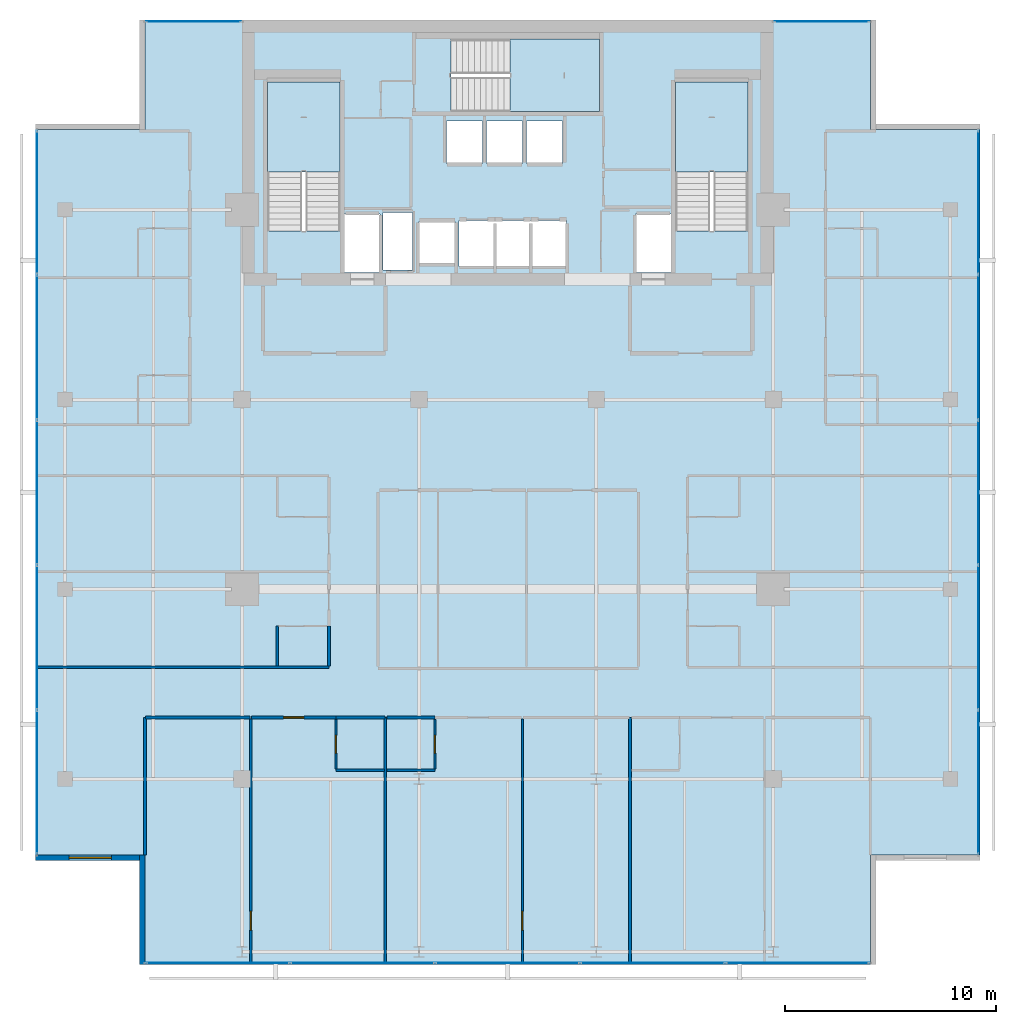
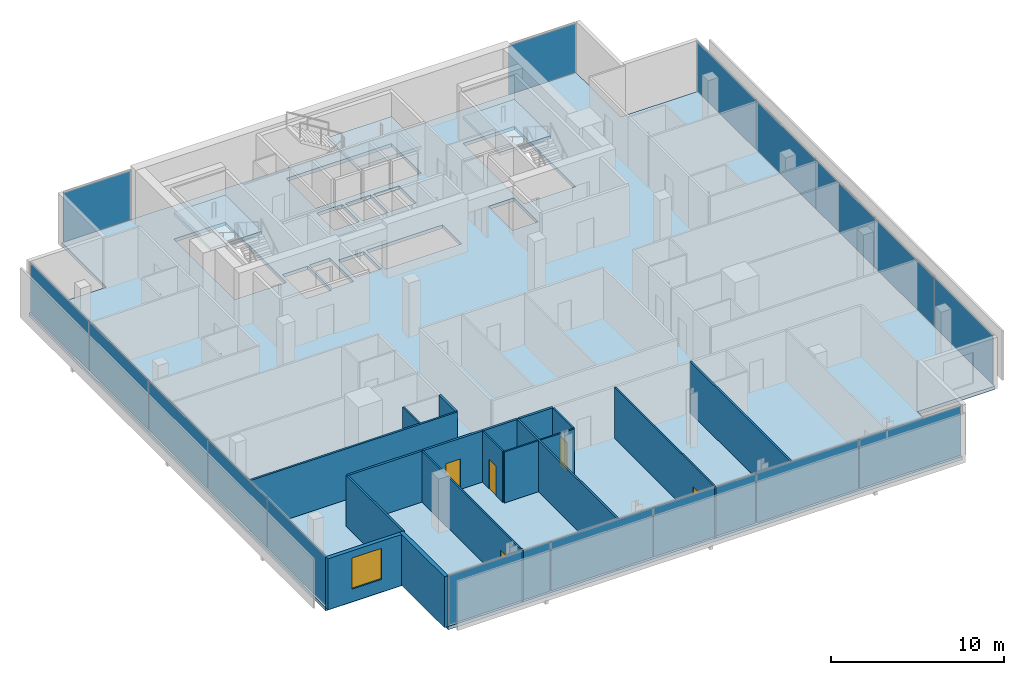
# One storey, part 19 of 25: 18 walls, 17 plates, 5 doors, 4 slabs, 1 window, 6 openings, 8 elements without a shape of their own.
"""IFC4 building model written with IfcOpenShell, lengths in metres."""

from ifc_helpers import new_model, si_unit, direction, frame, frame_2d, origin, origin_2d, place, context, subcontext, project, spatial, polyline, rectangle, outline, extrude, material, layer, layer_set, type_object, element, fill, aggregate, save


model = new_model("IFC4")

# Units and contexts
model_context = context("Model", 3, precision=1e-05, world=origin(), true_north=direction((0.0, 1.0)))
body_context = subcontext(model_context, "Body", "Model", "MODEL_VIEW")
ifc_project = project(units=[si_unit("LENGTHUNIT", "METRE"), si_unit("AREAUNIT", "SQUARE_METRE"), si_unit("VOLUMEUNIT", "CUBIC_METRE"), si_unit("PLANEANGLEUNIT", "RADIAN"), si_unit("MASSUNIT", "GRAM", prefix="KILO")], contexts=[model_context])

# Site, building, storey
site_placement = place(None, origin())
site = spatial("IfcSite", under=ifc_project, at=site_placement, CompositionType="ELEMENT")
building_placement = place(site_placement, origin())
building = spatial("IfcBuilding", under=site, at=building_placement, Name="Maruvema Waterfront Hotel and Observation Tower", CompositionType="ELEMENT")
storey_placement = place(building_placement, frame((0.0, 0.0, 297.14990234375)))
storey = spatial("IfcBuildingStorey", under=building, at=storey_placement, Name="L73", CompositionType="ELEMENT", Elevation=297.14990234375)

# Slab
ifc_material_1 = material(Name="Concrete C50/60", Category="concrete")
ifc_layer_1 = layer(ifc_material_1, 0.239990234375, Name="Reinforced Concrete Floor Slab 240 mm")
ifc_layer_set_1 = layer_set([ifc_layer_1], Name="Concrete C50/60")
slab_type_1 = type_object("IfcSlabType", Name="Reinforced Concrete Floor Slab 240 mm", PredefinedType="FLOOR", material=ifc_layer_set_1)
slab_1_placement = place(storey_placement, frame((0.0, 0.0, -0.239990234375)))
element("IfcSlab", 1, at=slab_1_placement, inside=storey, type_object=slab_type_1, Name="L73 Structural Floor Slab", PredefinedType="FLOOR", context=body_context, shape_type="SweptSolid", body=[
    extrude(outline(polyline([(20.60009765625, 9.199951171875), (55.0, 9.199951171875), (55.0, 14.39990234375), (60.199951171875, 14.39990234375), (60.199951171875, 48.800048828125), (55.0, 48.800048828125), (55.0, 54.0), (20.60009765625, 54.0), (20.60009765625, 48.800048828125), (15.39990234375, 48.800048828125), (15.39990234375, 14.39990234375), (20.60009765625, 14.39990234375), (20.60009765625, 9.199951171875)]), holes=[polyline([(26.39990234375, 44.00048828125), (26.39990234375, 51.050048828125), (29.85009765625, 51.050048828125), (29.85009765625, 44.00048828125), (26.39990234375, 44.00048828125)]), polyline([(30.050048828125, 44.800048828125), (31.75, 44.800048828125), (31.75, 42.02001953125), (30.050048828125, 42.02001953125), (30.050048828125, 44.800048828125)]), polyline([(31.8798828125, 42.139892578125), (31.8798828125, 44.860107421875), (33.280029296875, 44.860107421875), (33.280029296875, 42.139892578125), (31.8798828125, 42.139892578125)]), polyline([(33.60009765625, 44.449951171875), (35.300048828125, 44.449951171875), (35.300048828125, 42.449951171875), (33.60009765625, 42.449951171875), (33.60009765625, 44.449951171875)]), polyline([(34.89990234375, 49.199951171875), (36.60009765625, 49.199951171875), (36.60009765625, 47.199951171875), (34.89990234375, 47.199951171875), (34.89990234375, 49.199951171875)]), polyline([(36.800048828125, 47.199951171875), (36.800048828125, 49.199951171875), (38.5, 49.199951171875), (38.5, 47.199951171875), (36.800048828125, 47.199951171875)]), polyline([(35.5, 42.300048828125), (35.5, 44.5), (40.60009765625, 44.5), (40.60009765625, 42.300048828125), (35.5, 42.300048828125)]), polyline([(35.1005859375, 53.10009765625), (42.14990234375, 53.10009765625), (42.14990234375, 49.64990234375), (35.1005859375, 49.64990234375), (35.1005859375, 53.10009765625)]), polyline([(38.699951171875, 49.199951171875), (40.39990234375, 49.199951171875), (40.39990234375, 47.199951171875), (38.699951171875, 47.199951171875), (38.699951171875, 49.199951171875)]), polyline([(43.85009765625, 44.800048828125), (45.550048828125, 44.800048828125), (45.550048828125, 42.02001953125), (43.85009765625, 42.02001953125), (43.85009765625, 44.800048828125)]), polyline([(45.75, 44.00048828125), (45.75, 51.050048828125), (49.199951171875, 51.050048828125), (49.199951171875, 44.00048828125), (45.75, 44.00048828125)])]), origin(), (0.0, 0.0, 1.0), 0.239990234375),
])

# Curtain wall, plates
ifc_material_2 = material(Name="Anodised bronze aluminium and solar-control low-E IGU", Category="aluminium")
ifc_layer_2 = layer(ifc_material_2, 0.159912109375, Name="Zone 3 Champagne Inner Thermal Curtain Wall System CW-04")
ifc_layer_set_2 = layer_set([ifc_layer_2], Name="Anodised bronze aluminium and solar-control low-E IGU")
curtain_wall_type = type_object("IfcCurtainWallType", Name="Zone 3 Champagne Inner Thermal Curtain Wall System CW-04", PredefinedType="USERDEFINED", material=ifc_layer_set_2)
curtain_wall_1_placement = place(storey_placement, origin())
curtain_wall_1 = element("IfcCurtainWall", 2, at=curtain_wall_1_placement, inside=storey, type_object=curtain_wall_type, Name="L73 Curtain Wall CW-L73-S", ObjectType="UNITISED CURTAIN WALL", PredefinedType="USERDEFINED")
ifc_material_3 = material(Name="Laminated low-E solar-control double glazing", Category="glass")
ifc_layer_3 = layer(ifc_material_3, 0.035888671875, Name="Solar Control Double-Glazed Curtain Panel 36 mm")
ifc_layer_set_3 = layer_set([ifc_layer_3], Name="Laminated low-E solar-control double glazing")
plate_type = type_object("IfcPlateType", Name="Solar Control Double-Glazed Curtain Panel 36 mm", PredefinedType="CURTAIN_PANEL", material=ifc_layer_set_3)
plate_1_placement = place(storey_placement, frame((24.054931640625, 9.280029296875, 0.06005859375), z_axis=(0.0, 0.0, 1.0), x_axis=(1.0, 0.0, 0.0)))
plate_1 = element("IfcPlate", 3, at=plate_1_placement, type_object=plate_type, Name="CW-04 panel 1.1", PredefinedType="CURTAIN_PANEL", context=body_context, shape_type="SweptSolid", body=[
    extrude(rectangle(XDim=6.7900390625, YDim=0.028076171875, at=origin_2d()), origin(), (0.0, 0.0, 1.0), 3.489990234375),
])
plate_2_placement = place(storey_placement, frame((30.919921875, 9.280029296875, 0.06005859375), z_axis=(0.0, 0.0, 1.0), x_axis=(1.0, 0.0, 0.0)))
plate_2 = element("IfcPlate", 4, at=plate_2_placement, type_object=plate_type, Name="CW-04 panel 2.1", PredefinedType="CURTAIN_PANEL", context=body_context, shape_type="SweptSolid", body=[
    extrude(rectangle(XDim=6.820068359375, YDim=0.028076171875, at=origin_2d()), origin(), (0.0, 0.0, 1.0), 3.489990234375),
])
plate_3_placement = place(storey_placement, frame((37.800048828125, 9.280029296875, 0.06005859375), z_axis=(0.0, 0.0, 1.0), x_axis=(1.0, 0.0, 0.0)))
plate_3 = element("IfcPlate", 5, at=plate_3_placement, type_object=plate_type, Name="CW-04 panel 3.1", PredefinedType="CURTAIN_PANEL", context=body_context, shape_type="SweptSolid", body=[
    extrude(rectangle(XDim=6.820068359375, YDim=0.028076171875, at=origin_2d()), origin(), (0.0, 0.0, 1.0), 3.489990234375),
])
plate_4_placement = place(storey_placement, frame((44.679931640625, 9.280029296875, 0.06005859375), z_axis=(0.0, 0.0, 1.0), x_axis=(1.0, 0.0, 0.0)))
plate_4 = element("IfcPlate", 6, at=plate_4_placement, type_object=plate_type, Name="CW-04 panel 4.1", PredefinedType="CURTAIN_PANEL", context=body_context, shape_type="SweptSolid", body=[
    extrude(rectangle(XDim=6.820068359375, YDim=0.028076171875, at=origin_2d()), origin(), (0.0, 0.0, 1.0), 3.489990234375),
])
plate_5_placement = place(storey_placement, frame((51.544921875, 9.280029296875, 0.06005859375), z_axis=(0.0, 0.0, 1.0), x_axis=(1.0, 0.0, 0.0)))
plate_5 = element("IfcPlate", 7, at=plate_5_placement, type_object=plate_type, Name="CW-04 panel 5.1", PredefinedType="CURTAIN_PANEL", context=body_context, shape_type="SweptSolid", body=[
    extrude(rectangle(XDim=6.7900390625, YDim=0.028076171875, at=origin_2d()), origin(), (0.0, 0.0, 1.0), 3.489990234375),
])
aggregate(curtain_wall_1, [plate_1, plate_2, plate_3, plate_4, plate_5])

curtain_wall_2_placement = place(storey_placement, origin())
curtain_wall_2 = element("IfcCurtainWall", 8, at=curtain_wall_2_placement, inside=storey, type_object=curtain_wall_type, Name="L73 Curtain Wall CW-L73-E", ObjectType="UNITISED CURTAIN WALL", PredefinedType="USERDEFINED")
plate_6_placement = place(storey_placement, frame((60.1201171875, 17.85498046875, 0.06005859375), z_axis=(0.0, 0.0, 1.0), x_axis=(0.0, 1.0, 0.0)))
plate_6 = element("IfcPlate", 9, at=plate_6_placement, type_object=plate_type, Name="CW-04 panel 1.1", PredefinedType="CURTAIN_PANEL", context=body_context, shape_type="SweptSolid", body=[
    extrude(rectangle(XDim=6.7900390625, YDim=0.028076171875, at=origin_2d()), origin(), (0.0, 0.0, 1.0), 3.489990234375),
])
plate_7_placement = place(storey_placement, frame((60.1201171875, 24.719970703125, 0.06005859375), z_axis=(0.0, 0.0, 1.0), x_axis=(0.0, 1.0, 0.0)))
plate_7 = element("IfcPlate", 10, at=plate_7_placement, type_object=plate_type, Name="CW-04 panel 2.1", PredefinedType="CURTAIN_PANEL", context=body_context, shape_type="SweptSolid", body=[
    extrude(rectangle(XDim=6.820068359375, YDim=0.028076171875, at=origin_2d()), origin(), (0.0, 0.0, 1.0), 3.489990234375),
])
plate_8_placement = place(storey_placement, frame((60.1201171875, 31.60009765625, 0.06005859375), z_axis=(0.0, 0.0, 1.0), x_axis=(0.0, 1.0, 0.0)))
plate_8 = element("IfcPlate", 11, at=plate_8_placement, type_object=plate_type, Name="CW-04 panel 3.1", PredefinedType="CURTAIN_PANEL", context=body_context, shape_type="SweptSolid", body=[
    extrude(rectangle(XDim=6.820068359375, YDim=0.028076171875, at=origin_2d()), origin(), (0.0, 0.0, 1.0), 3.489990234375),
])
plate_9_placement = place(storey_placement, frame((60.1201171875, 38.47998046875, 0.06005859375), z_axis=(0.0, 0.0, 1.0), x_axis=(0.0, 1.0, 0.0)))
plate_9 = element("IfcPlate", 12, at=plate_9_placement, type_object=plate_type, Name="CW-04 panel 4.1", PredefinedType="CURTAIN_PANEL", context=body_context, shape_type="SweptSolid", body=[
    extrude(rectangle(XDim=6.820068359375, YDim=0.028076171875, at=origin_2d()), origin(), (0.0, 0.0, 1.0), 3.489990234375),
])
plate_10_placement = place(storey_placement, frame((60.1201171875, 45.344970703125, 0.06005859375), z_axis=(0.0, 0.0, 1.0), x_axis=(0.0, 1.0, 0.0)))
plate_10 = element("IfcPlate", 13, at=plate_10_placement, type_object=plate_type, Name="CW-04 panel 5.1", PredefinedType="CURTAIN_PANEL", context=body_context, shape_type="SweptSolid", body=[
    extrude(rectangle(XDim=6.7900390625, YDim=0.028076171875, at=origin_2d()), origin(), (0.0, 0.0, 1.0), 3.489990234375),
])
aggregate(curtain_wall_2, [plate_6, plate_7, plate_8, plate_9, plate_10])

curtain_wall_3_placement = place(storey_placement, origin())
curtain_wall_3 = element("IfcCurtainWall", 14, at=curtain_wall_3_placement, inside=storey, type_object=curtain_wall_type, Name="L73 Curtain Wall CW-L73-W", ObjectType="UNITISED CURTAIN WALL", PredefinedType="USERDEFINED")
plate_11_placement = place(storey_placement, frame((15.47998046875, 45.344970703125, 0.06005859375), z_axis=(0.0, 0.0, 1.0), x_axis=(0.0, -1.0, 0.0)))
plate_11 = element("IfcPlate", 15, at=plate_11_placement, type_object=plate_type, Name="CW-04 panel 1.1", PredefinedType="CURTAIN_PANEL", context=body_context, shape_type="SweptSolid", body=[
    extrude(rectangle(XDim=6.7900390625, YDim=0.028076171875, at=origin_2d()), origin(), (0.0, 0.0, 1.0), 3.489990234375),
])
plate_12_placement = place(storey_placement, frame((15.47998046875, 38.47998046875, 0.06005859375), z_axis=(0.0, 0.0, 1.0), x_axis=(0.0, -1.0, 0.0)))
plate_12 = element("IfcPlate", 16, at=plate_12_placement, type_object=plate_type, Name="CW-04 panel 2.1", PredefinedType="CURTAIN_PANEL", context=body_context, shape_type="SweptSolid", body=[
    extrude(rectangle(XDim=6.820068359375, YDim=0.028076171875, at=origin_2d()), origin(), (0.0, 0.0, 1.0), 3.489990234375),
])
plate_13_placement = place(storey_placement, frame((15.47998046875, 31.60009765625, 0.06005859375), z_axis=(0.0, 0.0, 1.0), x_axis=(0.0, -1.0, 0.0)))
plate_13 = element("IfcPlate", 17, at=plate_13_placement, type_object=plate_type, Name="CW-04 panel 3.1", PredefinedType="CURTAIN_PANEL", context=body_context, shape_type="SweptSolid", body=[
    extrude(rectangle(XDim=6.820068359375, YDim=0.028076171875, at=origin_2d()), origin(), (0.0, 0.0, 1.0), 3.489990234375),
])
plate_14_placement = place(storey_placement, frame((15.47998046875, 24.719970703125, 0.06005859375), z_axis=(0.0, 0.0, 1.0), x_axis=(0.0, -1.0, 0.0)))
plate_14 = element("IfcPlate", 18, at=plate_14_placement, type_object=plate_type, Name="CW-04 panel 4.1", PredefinedType="CURTAIN_PANEL", context=body_context, shape_type="SweptSolid", body=[
    extrude(rectangle(XDim=6.820068359375, YDim=0.028076171875, at=origin_2d()), origin(), (0.0, 0.0, 1.0), 3.489990234375),
])
plate_15_placement = place(storey_placement, frame((15.47998046875, 17.85498046875, 0.06005859375), z_axis=(0.0, 0.0, 1.0), x_axis=(0.0, -1.0, 0.0)))
plate_15 = element("IfcPlate", 19, at=plate_15_placement, type_object=plate_type, Name="CW-04 panel 5.1", PredefinedType="CURTAIN_PANEL", context=body_context, shape_type="SweptSolid", body=[
    extrude(rectangle(XDim=6.7900390625, YDim=0.028076171875, at=origin_2d()), origin(), (0.0, 0.0, 1.0), 3.489990234375),
])
aggregate(curtain_wall_3, [plate_11, plate_12, plate_13, plate_14, plate_15])

# Curtain wall, plate
curtain_wall_4_placement = place(storey_placement, origin())
curtain_wall_4 = element("IfcCurtainWall", 20, at=curtain_wall_4_placement, inside=storey, type_object=curtain_wall_type, Name="L73 Curtain Wall CW-L73-NW", ObjectType="UNITISED CURTAIN WALL", PredefinedType="USERDEFINED")
plate_16_placement = place(storey_placement, frame((22.89990234375, 53.919921875, 0.06005859375), z_axis=(0.0, 0.0, 1.0), x_axis=(-1.0, 0.0, 0.0)))
plate_16 = element("IfcPlate", 21, at=plate_16_placement, type_object=plate_type, Name="CW-04 panel 1.1", PredefinedType="CURTAIN_PANEL", context=body_context, shape_type="SweptSolid", body=[
    extrude(rectangle(XDim=4.47998046875, YDim=0.028076171875, at=origin_2d()), origin(), (0.0, 0.0, 1.0), 3.489990234375),
])
aggregate(curtain_wall_4, [plate_16])

curtain_wall_5_placement = place(storey_placement, origin())
curtain_wall_5 = element("IfcCurtainWall", 22, at=curtain_wall_5_placement, inside=storey, type_object=curtain_wall_type, Name="L73 Curtain Wall CW-L73-NE", ObjectType="UNITISED CURTAIN WALL", PredefinedType="USERDEFINED")
plate_17_placement = place(storey_placement, frame((52.699951171875, 53.919921875, 0.06005859375), z_axis=(0.0, 0.0, 1.0), x_axis=(-1.0, 0.0, 0.0)))
plate_17 = element("IfcPlate", 23, at=plate_17_placement, type_object=plate_type, Name="CW-04 panel 1.1", PredefinedType="CURTAIN_PANEL", context=body_context, shape_type="SweptSolid", body=[
    extrude(rectangle(XDim=4.47998046875, YDim=0.028076171875, at=origin_2d()), origin(), (0.0, 0.0, 1.0), 3.489990234375),
])
aggregate(curtain_wall_5, [plate_17])

# Stair, slab
ifc_material_4 = material(Name="Concrete C50/60", Category="concrete")
stair_type = type_object("IfcStairType", Name="Dogleg Exit Stair 1650 mm (22R x 175.0 mm)", PredefinedType="HALF_TURN_STAIR", material=ifc_material_4)
stair_1_placement = place(storey_placement, origin())
stair_1 = element("IfcStair", 24, at=stair_1_placement, inside=storey, type_object=stair_type, Name="L73 ST-01", PredefinedType="HALF_TURN_STAIR")
ifc_material_5 = material(Name="Concrete C50/60", Category="concrete")
ifc_layer_4 = layer(ifc_material_5, 0.219970703125, Name="Stair Concrete Landing Slab 220 mm")
ifc_layer_set_4 = layer_set([ifc_layer_4], Name="Concrete C50/60")
slab_type_2 = type_object("IfcSlabType", Name="Stair Concrete Landing Slab 220 mm", PredefinedType="LANDING", material=ifc_layer_set_4)
slab_2_placement = place(storey_placement, frame((0.0, 0.0, 1.705078125)))
slab_2 = element("IfcSlab", 25, at=slab_2_placement, type_object=slab_type_2, Name="ST-01 landing 1", PredefinedType="LANDING", context=body_context, shape_type="SweptSolid", body=[
    extrude(outline(polyline([(29.85009765625, 46.800048828125), (29.85009765625, 51.050048828125), (26.39990234375, 51.050048828125), (26.39990234375, 46.800048828125), (29.85009765625, 46.800048828125)])), origin(), (0.0, 0.0, 1.0), 0.219970703125),
])
aggregate(stair_1, [slab_2])

stair_2_placement = place(storey_placement, origin())
stair_2 = element("IfcStair", 26, at=stair_2_placement, inside=storey, type_object=stair_type, Name="L73 ST-02", PredefinedType="HALF_TURN_STAIR")
slab_3_placement = place(storey_placement, frame((0.0, 0.0, 1.705078125)))
slab_3 = element("IfcSlab", 27, at=slab_3_placement, type_object=slab_type_2, Name="ST-02 landing 1", PredefinedType="LANDING", context=body_context, shape_type="SweptSolid", body=[
    extrude(outline(polyline([(37.89990234375, 49.64990234375), (42.14990234375, 49.64990234375), (42.14990234375, 53.10009765625), (37.89990234375, 53.10009765625), (37.89990234375, 49.64990234375)])), origin(), (0.0, 0.0, 1.0), 0.219970703125),
])
aggregate(stair_2, [slab_3])

stair_3_placement = place(storey_placement, origin())
stair_3 = element("IfcStair", 28, at=stair_3_placement, inside=storey, type_object=stair_type, Name="L73 ST-03", PredefinedType="HALF_TURN_STAIR")
slab_4_placement = place(storey_placement, frame((0.0, 0.0, 1.705078125)))
slab_4 = element("IfcSlab", 29, at=slab_4_placement, type_object=slab_type_2, Name="ST-03 landing 1", PredefinedType="LANDING", context=body_context, shape_type="SweptSolid", body=[
    extrude(outline(polyline([(49.199951171875, 46.800048828125), (49.199951171875, 51.050048828125), (45.75, 51.050048828125), (45.75, 46.800048828125), (49.199951171875, 46.800048828125)])), origin(), (0.0, 0.0, 1.0), 0.219970703125),
])
aggregate(stair_3, [slab_4])

# Walls
ifc_material_6 = material(Name="Twin-stud acoustic gypsum drywall", Category="gypsum")
ifc_layer_5 = layer(ifc_material_6, 0.14990234375, Name="Acoustic Corridor and Suite Demising Wall 150 mm")
ifc_layer_set_5 = layer_set([ifc_layer_5], Name="Twin-stud acoustic gypsum drywall")
wall_type_1 = type_object("IfcWallType", Name="Acoustic Corridor and Suite Demising Wall 150 mm", PredefinedType="PARTITIONING", material=ifc_layer_set_5)
wall_1_placement = place(storey_placement, frame((29.64990234375, 20.919921875, 0.0), z_axis=(0.0, 0.0, 1.0), x_axis=(1.0, 0.0, 0.0)))
element("IfcWall", 30, at=wall_1_placement, inside=storey, type_object=wall_type_1, Name="L73 Bath L73-S1 Back Wall 031", PredefinedType="PARTITIONING", context=body_context, shape_type="SweptSolid", body=[
    extrude(rectangle(XDim=2.330078125, YDim=0.14990234375, at=frame_2d((1.1650390625, 0.0))), origin(), (0.0, 0.0, 1.0), 3.610107421875),
])
wall_2_placement = place(storey_placement, frame((20.6201171875, 20.919921875, 0.0), z_axis=(0.0, 0.0, 1.0), x_axis=(1.0, 0.0, 0.0)))
element("IfcWall", 31, at=wall_2_placement, inside=storey, type_object=wall_type_1, Name="L73 Bedroom L73-S1 Back Wall 034", PredefinedType="PARTITIONING", context=body_context, shape_type="SweptSolid", body=[
    extrude(rectangle(XDim=4.955810546875, YDim=0.14990234375, at=frame_2d((2.47802734375, 0.0))), origin(), (0.0, 0.0, 1.0), 3.610107421875),
])

# Wall, opening, door
wall_3_placement = place(storey_placement, frame((25.656005859375, 20.919921875, 0.0), z_axis=(0.0, 0.0, 1.0), x_axis=(1.0, 0.0, 0.0)))
wall_3 = element("IfcWall", 32, at=wall_3_placement, inside=storey, type_object=wall_type_1, Name="L73 Unit L73-S1 Corridor Wall 035", PredefinedType="PARTITIONING", context=body_context, shape_type="SweptSolid", body=[
    extrude(rectangle(XDim=3.993896484375, YDim=0.14990234375, at=frame_2d((1.9970703125, 0.0))), origin(), (0.0, 0.0, 1.0), 3.610107421875),
])
opening_1_placement = place(wall_3_placement, frame((1.52197265625, 0.0, 0.0)))
opening_1 = element("IfcOpeningElement", 33, at=opening_1_placement, cuts=wall_3, Name="Opening DR-095", PredefinedType="OPENING", context=body_context, shape_type="SweptSolid", body=[
    extrude(rectangle(XDim=0.949951171875, YDim=2.14990234375, at=frame_2d((0.47509765625, 1.074951171875))), frame((0.0, 0.0849609375, 0.0), z_axis=(0.0, -1.0, 0.0), x_axis=(1.0, 0.0, 0.0)), (0.0, 0.0, 1.0), 0.169921875),
])
ifc_material_7 = material(Name="Acoustic solid-core hardwood timber leaf", Category="wood")
door_type_1 = type_object("IfcDoorType", Name="Guestroom Entrance Fire Door 950x2150 mm", OperationType="NOTDEFINED", PredefinedType="DOOR", material=ifc_material_7)
door_1_placement = place(opening_1_placement, frame((0.949951171875, 0.0, 0.0), z_axis=(0.0, 0.0, 1.0), x_axis=(-1.0, 0.0, 0.0)))
door_1 = element("IfcDoor", 34, at=door_1_placement, inside=storey, type_object=door_type_1, Name="L73 Unit L73-S1 Entrance Door", OperationType="SINGLE_SWING_LEFT", OverallHeight=2.14990234375, OverallWidth=0.949951171875, PredefinedType="DOOR", context=body_context, shape_type="SweptSolid", body=[
    extrude(rectangle(XDim=0.949951171875, YDim=2.14990234375, at=frame_2d((0.47509765625, 1.074951171875))), frame((0.0, 0.02490234375, 0.0), z_axis=(0.0, -1.0, 0.0), x_axis=(1.0, 0.0, 0.0)), (0.0, 0.0, 1.0), 0.050048828125),
])
fill(opening_1, door_1)

# Walls
wall_4_placement = place(storey_placement, frame((32.080078125, 20.919921875, 0.0), z_axis=(0.0, 0.0, 1.0), x_axis=(1.0, 0.0, 0.0)))
element("IfcWall", 35, at=wall_4_placement, inside=storey, type_object=wall_type_1, Name="L73 Bath L73-S2 Back Wall 038", PredefinedType="PARTITIONING", context=body_context, shape_type="SweptSolid", body=[
    extrude(rectangle(XDim=2.27001953125, YDim=0.14990234375, at=frame_2d((1.135009765625, 0.0))), origin(), (0.0, 0.0, 1.0), 3.610107421875),
])
wall_5_placement = place(storey_placement, frame((29.320068359375, 23.360107421875, 0.0), z_axis=(0.0, 0.0, 1.0), x_axis=(0.0, 1.0, 0.0)))
element("IfcWall", 36, at=wall_5_placement, inside=storey, type_object=wall_type_1, Name="L73 Bath L73-W1 Wall 055", PredefinedType="PARTITIONING", context=body_context, shape_type="SweptSolid", body=[
    extrude(rectangle(XDim=1.889892578125, YDim=0.14990234375, at=frame_2d((0.94482421875, 0.0))), origin(), (0.0, 0.0, 1.0), 3.610107421875),
])
ifc_material_8 = material(Name="Moisture-resistant cement-board drywall", Category="gypsum")
ifc_layer_6 = layer(ifc_material_8, 0.10009765625, Name="En-Suite Moisture-Resistant Partition 100 mm")
ifc_layer_set_6 = layer_set([ifc_layer_6], Name="Moisture-resistant cement-board drywall")
wall_type_2 = type_object("IfcWallType", Name="En-Suite Moisture-Resistant Partition 100 mm", PredefinedType="PARTITIONING", material=ifc_layer_set_6)
wall_6_placement = place(storey_placement, frame((29.64990234375, 18.419921875, 0.0), z_axis=(0.0, 0.0, 1.0), x_axis=(1.0, 0.0, 0.0)))
element("IfcWall", 37, at=wall_6_placement, inside=storey, type_object=wall_type_2, Name="L73 En-Suite L73-S1 South 032", PredefinedType="PARTITIONING", context=body_context, shape_type="SweptSolid", body=[
    extrude(rectangle(XDim=2.31005859375, YDim=0.10009765625, at=frame_2d((1.155029296875, 0.0))), origin(), (0.0, 0.0, 1.0), 3.610107421875),
])

# Wall, opening, door
wall_7_placement = place(storey_placement, frame((29.64990234375, 18.47998046875, 0.0), z_axis=(0.0, 0.0, 1.0), x_axis=(0.0, 1.0, 0.0)))
wall_7 = element("IfcWall", 38, at=wall_7_placement, inside=storey, type_object=wall_type_2, Name="L73 En-Suite L73-S1 West 033", PredefinedType="PARTITIONING", context=body_context, shape_type="SweptSolid", body=[
    extrude(rectangle(XDim=2.340087890625, YDim=0.10009765625, at=frame_2d((1.169921875, 0.0))), origin(), (0.0, 0.0, 1.0), 3.610107421875),
])
opening_2_placement = place(wall_7_placement, frame((0.7451171875, 0.0, 0.0)))
opening_2 = element("IfcOpeningElement", 39, at=opening_2_placement, cuts=wall_7, Name="Opening DR-085", PredefinedType="OPENING", context=body_context, shape_type="SweptSolid", body=[
    extrude(rectangle(XDim=0.85009765625, YDim=2.10009765625, at=frame_2d((0.425048828125, 1.050048828125))), frame((0.0, 0.06005859375, 0.0), z_axis=(0.0, -1.0, 0.0), x_axis=(1.0, 0.0, 0.0)), (0.0, 0.0, 1.0), 0.1201171875),
])
ifc_material_9 = material(Name="Moisture-resistant solid timber leaf", Category="wood")
door_type_2 = type_object("IfcDoorType", Name="En-Suite Bathroom Door 850x2100 mm", OperationType="NOTDEFINED", PredefinedType="DOOR", material=ifc_material_9)
door_2_placement = place(opening_2_placement, origin())
door_2 = element("IfcDoor", 40, at=door_2_placement, inside=storey, type_object=door_type_2, Name="L73 En-Suite L73-S1 Door", OperationType="SINGLE_SWING_RIGHT", OverallHeight=2.10009765625, OverallWidth=0.85009765625, PredefinedType="DOOR", context=body_context, shape_type="SweptSolid", body=[
    extrude(rectangle(XDim=0.85009765625, YDim=2.10009765625, at=frame_2d((0.425048828125, 1.050048828125))), frame((0.0, 0.02490234375, 0.0), z_axis=(0.0, -1.0, 0.0), x_axis=(1.0, 0.0, 0.0)), (0.0, 0.0, 1.0), 0.050048828125),
])
fill(opening_2, door_2)

wall_8_placement = place(storey_placement, frame((25.615966796875, 9.22998046875, 0.0), z_axis=(0.0, 0.0, 1.0), x_axis=(0.0, 1.0, 0.0)))
wall_8 = element("IfcWall", 41, at=wall_8_placement, inside=storey, type_object=wall_type_2, Name="L73 Suite L73-S1 Split 036", PredefinedType="PARTITIONING", context=body_context, shape_type="SweptSolid", body=[
    extrude(rectangle(XDim=11.630126953125, YDim=0.10009765625, at=frame_2d((5.81494140625, 0.0))), origin(), (0.0, 0.0, 1.0), 3.610107421875),
])
opening_3_placement = place(wall_8_placement, frame((1.60009765625, 0.0, 0.0)))
opening_3 = element("IfcOpeningElement", 42, at=opening_3_placement, cuts=wall_8, Name="Opening DR-090", PredefinedType="OPENING", context=body_context, shape_type="SweptSolid", body=[
    extrude(rectangle(XDim=0.89990234375, YDim=2.10009765625, at=frame_2d((0.449951171875, 1.050048828125))), frame((0.0, 0.06005859375, 0.0), z_axis=(0.0, -1.0, 0.0), x_axis=(1.0, 0.0, 0.0)), (0.0, 0.0, 1.0), 0.1201171875),
])
ifc_material_10 = material(Name="Solid-core lacquered timber leaf", Category="wood")
door_type_3 = type_object("IfcDoorType", Name="Accessible Toilet and Room Door 900x2100 mm", OperationType="NOTDEFINED", PredefinedType="DOOR", material=ifc_material_10)
door_3_placement = place(opening_3_placement, frame((0.89990234375, 0.0, 0.0), z_axis=(0.0, 0.0, 1.0), x_axis=(-1.0, 0.0, 0.0)))
door_3 = element("IfcDoor", 43, at=door_3_placement, inside=storey, type_object=door_type_3, Name="L73 Suite L73-S1 Bedroom Door", OperationType="SINGLE_SWING_RIGHT", OverallHeight=2.10009765625, OverallWidth=0.89990234375, PredefinedType="DOOR", context=body_context, shape_type="SweptSolid", body=[
    extrude(rectangle(XDim=0.89990234375, YDim=2.10009765625, at=frame_2d((0.449951171875, 1.050048828125))), frame((0.0, 0.02490234375, 0.0), z_axis=(0.0, -1.0, 0.0), x_axis=(1.0, 0.0, 0.0)), (0.0, 0.0, 1.0), 0.050048828125),
])
fill(opening_3, door_3)

# Wall
wall_9_placement = place(storey_placement, frame((32.080078125, 18.419921875, 0.0), z_axis=(0.0, 0.0, 1.0), x_axis=(1.0, 0.0, 0.0)))
element("IfcWall", 44, at=wall_9_placement, inside=storey, type_object=wall_type_2, Name="L73 En-Suite L73-S2 South 039", PredefinedType="PARTITIONING", context=body_context, shape_type="SweptSolid", body=[
    extrude(rectangle(XDim=2.27001953125, YDim=0.10009765625, at=frame_2d((1.135009765625, 0.0))), origin(), (0.0, 0.0, 1.0), 3.610107421875),
])

# Wall, opening, door
wall_10_placement = place(storey_placement, frame((34.35009765625, 18.47998046875, 0.0), z_axis=(0.0, 0.0, 1.0), x_axis=(0.0, 1.0, 0.0)))
wall_10 = element("IfcWall", 45, at=wall_10_placement, inside=storey, type_object=wall_type_2, Name="L73 En-Suite L73-S2 East 040", PredefinedType="PARTITIONING", context=body_context, shape_type="SweptSolid", body=[
    extrude(rectangle(XDim=2.340087890625, YDim=0.10009765625, at=frame_2d((1.169921875, 0.0))), origin(), (0.0, 0.0, 1.0), 3.610107421875),
])
opening_4_placement = place(wall_10_placement, frame((0.7451171875, 0.0, 0.0)))
opening_4 = element("IfcOpeningElement", 46, at=opening_4_placement, cuts=wall_10, Name="Opening DR-085", PredefinedType="OPENING", context=body_context, shape_type="SweptSolid", body=[
    extrude(rectangle(XDim=0.85009765625, YDim=2.10009765625, at=frame_2d((0.425048828125, 1.050048828125))), frame((0.0, 0.06005859375, 0.0), z_axis=(0.0, -1.0, 0.0), x_axis=(1.0, 0.0, 0.0)), (0.0, 0.0, 1.0), 0.1201171875),
])
door_4_placement = place(opening_4_placement, frame((0.85009765625, 0.0, 0.0), z_axis=(0.0, 0.0, 1.0), x_axis=(-1.0, 0.0, 0.0)))
door_4 = element("IfcDoor", 47, at=door_4_placement, inside=storey, type_object=door_type_2, Name="L73 En-Suite L73-S2 Door", OperationType="SINGLE_SWING_LEFT", OverallHeight=2.10009765625, OverallWidth=0.85009765625, PredefinedType="DOOR", context=body_context, shape_type="SweptSolid", body=[
    extrude(rectangle(XDim=0.85009765625, YDim=2.10009765625, at=frame_2d((0.425048828125, 1.050048828125))), frame((0.0, 0.02490234375, 0.0), z_axis=(0.0, -1.0, 0.0), x_axis=(1.0, 0.0, 0.0)), (0.0, 0.0, 1.0), 0.050048828125),
])
fill(opening_4, door_4)

wall_11_placement = place(storey_placement, frame((38.49609375, 9.22998046875, 0.0), z_axis=(0.0, 0.0, 1.0), x_axis=(0.0, 1.0, 0.0)))
wall_11 = element("IfcWall", 48, at=wall_11_placement, inside=storey, type_object=wall_type_2, Name="L73 Suite L73-S2 Split 043", PredefinedType="PARTITIONING", context=body_context, shape_type="SweptSolid", body=[
    extrude(rectangle(XDim=11.630126953125, YDim=0.10009765625, at=frame_2d((5.81494140625, 0.0))), origin(), (0.0, 0.0, 1.0), 3.610107421875),
])
opening_5_placement = place(wall_11_placement, frame((1.60009765625, 0.0, 0.0)))
opening_5 = element("IfcOpeningElement", 49, at=opening_5_placement, cuts=wall_11, Name="Opening DR-090", PredefinedType="OPENING", context=body_context, shape_type="SweptSolid", body=[
    extrude(rectangle(XDim=0.89990234375, YDim=2.10009765625, at=frame_2d((0.449951171875, 1.050048828125))), frame((0.0, 0.06005859375, 0.0), z_axis=(0.0, -1.0, 0.0), x_axis=(1.0, 0.0, 0.0)), (0.0, 0.0, 1.0), 0.1201171875),
])
door_5_placement = place(opening_5_placement, origin())
door_5 = element("IfcDoor", 50, at=door_5_placement, inside=storey, type_object=door_type_3, Name="L73 Suite L73-S2 Bedroom Door", OperationType="SINGLE_SWING_LEFT", OverallHeight=2.10009765625, OverallWidth=0.89990234375, PredefinedType="DOOR", context=body_context, shape_type="SweptSolid", body=[
    extrude(rectangle(XDim=0.89990234375, YDim=2.10009765625, at=frame_2d((0.449951171875, 1.050048828125))), frame((0.0, 0.02490234375, 0.0), z_axis=(0.0, -1.0, 0.0), x_axis=(1.0, 0.0, 0.0)), (0.0, 0.0, 1.0), 0.050048828125),
])
fill(opening_5, door_5)

# Walls
wall_12_placement = place(storey_placement, frame((26.8701171875, 23.360107421875, 0.0), z_axis=(0.0, 0.0, 1.0), x_axis=(0.0, 1.0, 0.0)))
element("IfcWall", 51, at=wall_12_placement, inside=storey, type_object=wall_type_2, Name="L73 En-Suite L73-W1 W 057", PredefinedType="PARTITIONING", context=body_context, shape_type="SweptSolid", body=[
    extrude(rectangle(XDim=1.889892578125, YDim=0.10009765625, at=frame_2d((0.94482421875, 0.0))), origin(), (0.0, 0.0, 1.0), 3.610107421875),
])
ifc_material_11 = material(Name="Precast concrete C45/55 with honed Pernambuco granite facing", Category="masonry")
ifc_layer_7 = layer(ifc_material_11, 0.260009765625, Name="Exterior Granite Clad Spandrel and Pier Wall 260 mm")
ifc_layer_set_7 = layer_set([ifc_layer_7], Name="Precast concrete C45/55 with honed Pernambuco granite facing")
wall_type_3 = type_object("IfcWallType", Name="Exterior Granite Clad Spandrel and Pier Wall 260 mm", PredefinedType="SOLIDWALL", material=ifc_layer_set_7)
wall_13_placement = place(storey_placement, frame((20.469970703125, 9.199951171875, 0.0), z_axis=(0.0, 0.0, 1.0), x_axis=(0.0, 1.0, 0.0)))
element("IfcWall", 52, at=wall_13_placement, inside=storey, type_object=wall_type_3, Name="L73 Corner Notch Granite Pier Wall SW1", PredefinedType="SOLIDWALL", context=body_context, shape_type="SweptSolid", body=[
    extrude(rectangle(XDim=5.199951171875, YDim=0.260009765625, at=frame_2d((2.60009765625, 0.0))), origin(), (0.0, 0.0, 1.0), 3.610107421875),
])

# Wall, opening, window
wall_14_placement = place(storey_placement, frame((20.60009765625, 14.27001953125, 0.0), z_axis=(0.0, 0.0, 1.0), x_axis=(-1.0, 0.0, 0.0)))
wall_14 = element("IfcWall", 53, at=wall_14_placement, inside=storey, type_object=wall_type_3, Name="L73 Corner Notch Granite Pier Wall SW2", PredefinedType="SOLIDWALL", context=body_context, shape_type="SweptSolid", body=[
    extrude(rectangle(XDim=5.2001953125, YDim=0.260009765625, at=frame_2d((2.60009765625, 0.0))), origin(), (0.0, 0.0, 1.0), 3.610107421875),
])
opening_6_placement = place(wall_14_placement, frame((1.60009765625, 0.0, 0.89990234375)))
opening_6 = element("IfcOpeningElement", 54, at=opening_6_placement, cuts=wall_14, Name="Opening WN-03", PredefinedType="OPENING", context=body_context, shape_type="SweptSolid", body=[
    extrude(rectangle(XDim=2.0, YDim=2.199951171875, at=frame_2d((1.0, 1.10009765625))), frame((0.0, 0.14013671875, 0.0), z_axis=(0.0, -1.0, 0.0), x_axis=(1.0, 0.0, 0.0)), (0.0, 0.0, 1.0), 0.280029296875),
])
ifc_material_12 = material(Name="Anodised bronze aluminium frame with laminated low-E glass", Category="aluminium")
window_type = type_object("IfcWindowType", Name="Sky Suite Panoramic Notch Window 2000x2200 mm", PartitioningType="SINGLE_PANEL", PredefinedType="WINDOW", material=ifc_material_12)
window_placement = place(opening_6_placement, origin())
window = element("IfcWindow", 55, at=window_placement, inside=storey, type_object=window_type, Name="L73 Corner Notch Punched Window SW2", OverallHeight=2.199951171875, OverallWidth=2.0, PartitioningType="SINGLE_PANEL", PredefinedType="WINDOW", context=body_context, shape_type="SweptSolid", body=[
    extrude(rectangle(XDim=2.0, YDim=2.199951171875, at=frame_2d((1.0, 1.10009765625))), frame((0.0, 0.030029296875, 0.0), z_axis=(0.0, -1.0, 0.0), x_axis=(1.0, 0.0, 0.0)), (0.0, 0.0, 1.0), 0.06005859375),
])
fill(opening_6, window)

# Walls
ifc_material_13 = material(Name="Acoustic gypsum plasterboard drywall", Category="gypsum")
ifc_layer_8 = layer(ifc_material_13, 0.125, Name="Guestroom Acoustic Demising Wall 125 mm")
ifc_layer_set_8 = layer_set([ifc_layer_8], Name="Acoustic gypsum plasterboard drywall")
wall_type_4 = type_object("IfcWallType", Name="Guestroom Acoustic Demising Wall 125 mm", PredefinedType="PARTITIONING", material=ifc_layer_set_8)
wall_15_placement = place(storey_placement, frame((20.60009765625, 14.39990234375, 0.0), z_axis=(0.0, 0.0, 1.0), x_axis=(0.0, 1.0, 0.0)))
element("IfcWall", 56, at=wall_15_placement, inside=storey, type_object=wall_type_4, Name="L73 Z3 S West End 029", PredefinedType="PARTITIONING", context=body_context, shape_type="SweptSolid", body=[
    extrude(rectangle(XDim=6.52001953125, YDim=0.125, at=frame_2d((3.260009765625, 0.0))), origin(), (0.0, 0.0, 1.0), 3.610107421875),
])
for number, where, z_axis, x_axis, name in (
    (57, (32.0, 9.300048828125, 0.0), (0.0, 0.0, 1.0), (0.0, 1.0, 0.0), "L73 Z3 S Demising 2 037"),
    (58, (43.60009765625, 9.300048828125, 0.0), (0.0, 0.0, 1.0), (0.0, 1.0, 0.0), "L73 Z3 S Demising 3 044"),
):
    element("IfcWall", number, at=place(storey_placement, frame(where, z_axis=z_axis, x_axis=x_axis)), inside=storey, type_object=wall_type_4, Name=name, PredefinedType="PARTITIONING", context=body_context, shape_type="SweptSolid", body=[
        extrude(rectangle(XDim=11.619873046875, YDim=0.125, at=frame_2d((5.81005859375, 0.0))), origin(), (0.0, 0.0, 1.0), 3.610107421875),
    ])
wall_16_placement = place(storey_placement, frame((15.5, 23.300048828125, 0.0), z_axis=(0.0, 0.0, 1.0), x_axis=(1.0, 0.0, 0.0)))
element("IfcWall", 59, at=wall_16_placement, inside=storey, type_object=wall_type_4, Name="L73 Z3 W Bot End 051", PredefinedType="PARTITIONING", context=body_context, shape_type="SweptSolid", body=[
    extrude(rectangle(XDim=13.820068359375, YDim=0.125, at=frame_2d((6.91015625, 0.0))), origin(), (0.0, 0.0, 1.0), 3.610107421875),
])

save(model, "model.ifc")
